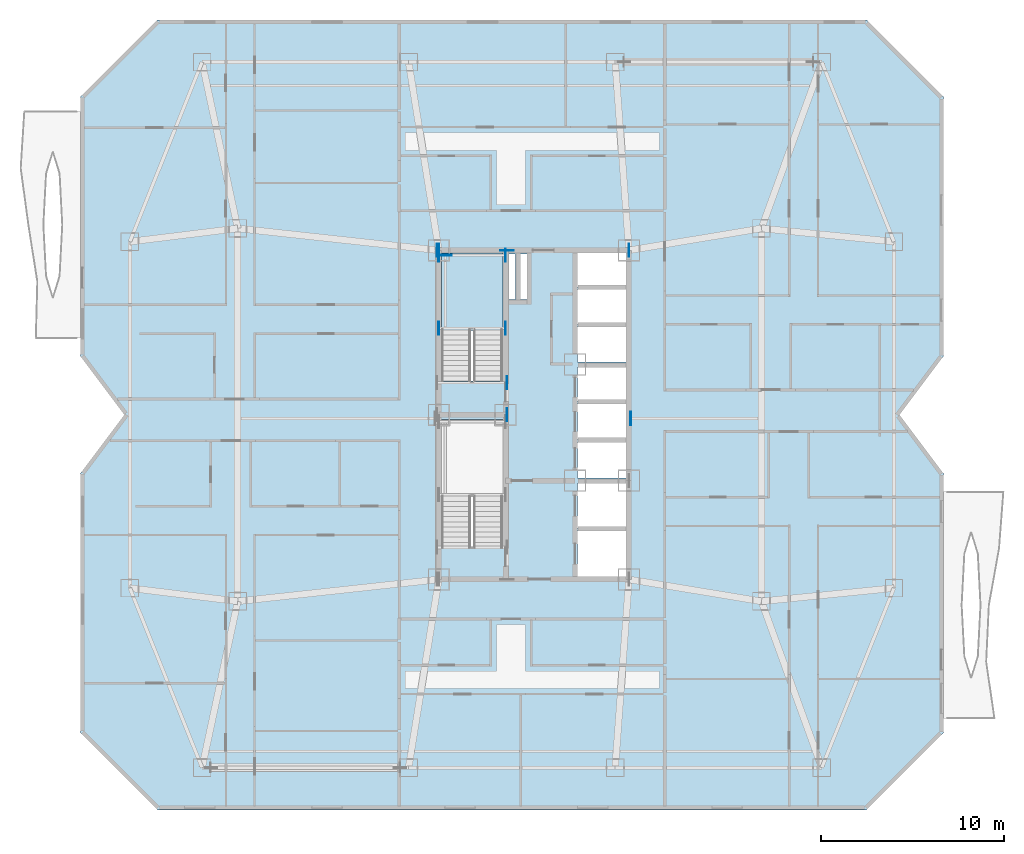
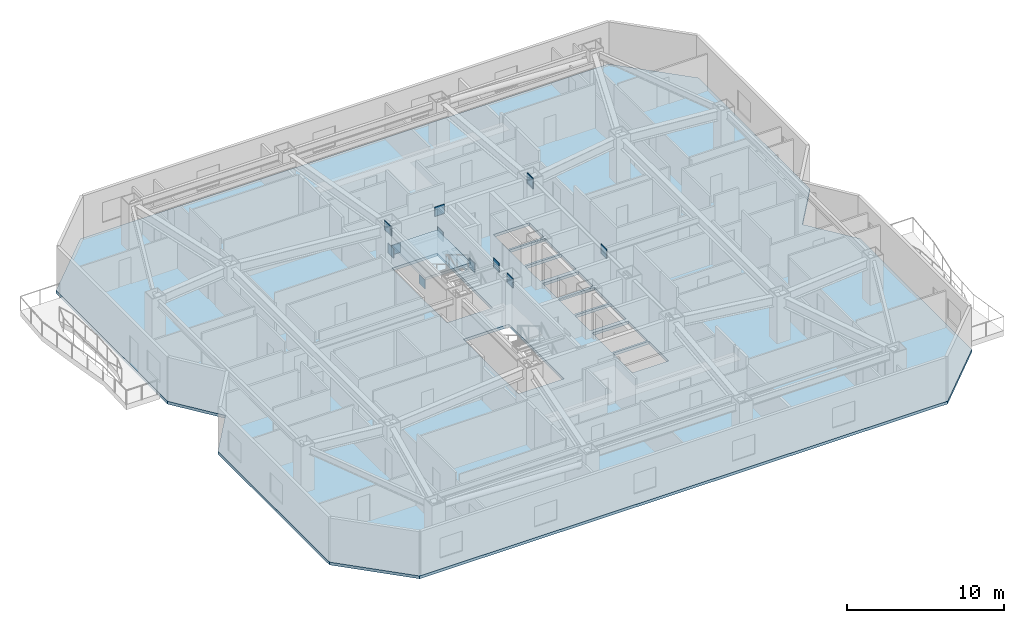
# One storey, part 3 of 15: 13 plates, 2 slabs, 1 element without a shape of its own.
"""IFC4 building model written with IfcOpenShell, lengths in metres."""

from ifc_helpers import new_model, si_unit, direction, frame, origin, origin_2d, place, context, subcontext, project, spatial, polyline, rectangle, outline, extrude, material, layer, layer_set, type_object, element, aggregate, save


model = new_model("IFC4")

# Units and contexts
model_context = context("Model", 3, precision=1e-05, world=origin(), true_north=direction((0.0, 1.0)))
body_context = subcontext(model_context, "Body", "Model", "MODEL_VIEW")
ifc_project = project(units=[si_unit("LENGTHUNIT", "METRE"), si_unit("AREAUNIT", "SQUARE_METRE"), si_unit("VOLUMEUNIT", "CUBIC_METRE"), si_unit("PLANEANGLEUNIT", "RADIAN"), si_unit("MASSUNIT", "GRAM", prefix="KILO")], contexts=[model_context])

# Site, building, storey
site_placement = place(None, origin())
site = spatial("IfcSite", under=ifc_project, at=site_placement, CompositionType="ELEMENT")
building_placement = place(site_placement, origin())
building = spatial("IfcBuilding", under=site, at=building_placement, Name="Khamvora Tower", CompositionType="ELEMENT")
storey_placement = place(building_placement, frame((0.0, 0.0, 101.89990234375)))
storey = spatial("IfcBuildingStorey", under=building, at=storey_placement, Name="L25", CompositionType="ELEMENT", Elevation=101.89990234375)

# Plates
ifc_material_1 = material(Name="Steel S460", Category="steel")
ifc_layer_1 = layer(ifc_material_1, 0.034912109375)
ifc_layer_set_1 = layer_set([ifc_layer_1], Name="Steel S460")
plate_type = type_object("IfcPlateType", Name="PL-EMB-35", PredefinedType="SHEET", material=ifc_layer_set_1)
for number, where, z_axis, x_axis, name in (
    (1, (29.0, 32.735107421875, 1.13427734375), (0.0, 0.0, 1.0), (1.0, 0.0, 0.0), "L25 core shear wall cast-in embed plate 0744"),
    (2, (32.64990234375, 32.735107421875, 1.13427734375), (0.0, 0.0, 1.0), (1.0, 0.0, 0.0), "L25 core shear wall cast-in embed plate 0745"),
    (3, (29.0, 36.72998046875, 1.13427734375), (0.0, 0.0, 1.0), (1.0, 0.0, 0.0), "L25 core shear wall cast-in embed plate 0746"),
    (4, (32.64990234375, 36.72998046875, 1.13427734375), (0.0, 0.0, 1.0), (1.0, 0.0, 0.0), "L25 core shear wall cast-in embed plate 0747"),
):
    element("IfcPlate", number, at=place(storey_placement, frame(where, z_axis=z_axis, x_axis=x_axis)), inside=storey, type_object=plate_type, Name=name, PredefinedType="SHEET", context=body_context, shape_type="SweptSolid", body=[
        extrude(rectangle(XDim=0.034912109375, YDim=0.719970703125, at=origin_2d()), origin(), (0.0, 0.0, 1.0), 0.719970703125),
    ])
plate_1_placement = place(storey_placement, frame((29.35009765625, 36.72998046875, 1.13427734375), z_axis=(0.0, 0.0, 1.0), x_axis=(1.0, 0.0, 0.0)))
element("IfcPlate", 5, at=plate_1_placement, inside=storey, type_object=plate_type, Name="L25 core shear wall cast-in embed plate 0748", PredefinedType="SHEET", context=body_context, shape_type="SweptSolid", body=[
    extrude(rectangle(XDim=0.719970703125, YDim=0.034912109375, at=origin_2d()), origin(), (0.0, 0.0, 1.0), 0.719970703125),
])
for number, where, z_axis, x_axis, name in (
    (6, (29.0, 37.0, 2.68408203125), (0.0, 0.0, 1.0), (1.0, 0.0, 0.0), "L25 core shear wall cast-in embed plate 0751"),
    (7, (39.39990234375, 37.0, 2.68408203125), (0.0, 0.0, 1.0), (1.0, 0.0, 0.0), "L25 core shear wall cast-in embed plate 0752"),
    (8, (28.89990234375, 37.0, 2.80419921875), (0.0, 0.0, 1.0), (1.0, 0.0, 0.0), "L25 core shear wall cast-in embed plate 0755"),
    (9, (32.72998046875, 28.0, 2.80419921875), (0.0, 0.0, 1.0), (1.0, 0.0, 0.0), "L25 core shear wall cast-in embed plate 0757"),
):
    element("IfcPlate", number, at=place(storey_placement, frame(where, z_axis=z_axis, x_axis=x_axis)), inside=storey, type_object=plate_type, Name=name, PredefinedType="SHEET", context=body_context, shape_type="SweptSolid", body=[
        extrude(rectangle(XDim=0.034912109375, YDim=0.719970703125, at=origin_2d()), origin(), (0.0, 0.0, 1.0), 0.719970703125),
    ])
plate_2_placement = place(storey_placement, frame((32.72998046875, 37.0, 2.80419921875), z_axis=(0.0, 0.0, 1.0), x_axis=(1.0, 0.0, 0.0)))
element("IfcPlate", 10, at=plate_2_placement, inside=storey, type_object=plate_type, Name="L25 core shear wall cast-in embed plate 0758", PredefinedType="SHEET", context=body_context, shape_type="SweptSolid", body=[
    extrude(rectangle(XDim=0.719970703125, YDim=0.034912109375, at=origin_2d()), origin(), (0.0, 0.0, 1.0), 0.719970703125),
])
for number, where, z_axis, x_axis, name in (
    (11, (39.39990234375, 37.0, 2.80419921875), (0.0, 0.0, 1.0), (1.0, 0.0, 0.0), "L25 core shear wall cast-in embed plate 0761"),
    (12, (32.72998046875, 29.75, 2.9443359375), (0.0, 0.0, 1.0), (1.0, 0.0, 0.0), "L25 core shear wall cast-in embed plate 0765"),
    (13, (39.4990234375, 27.800048828125, 2.84033203125), (0.0, 0.0, 1.0), (1.0, 0.0, 0.0), "L25 core shear wall cast-in embed plate 0767"),
):
    element("IfcPlate", number, at=place(storey_placement, frame(where, z_axis=z_axis, x_axis=x_axis)), inside=storey, type_object=plate_type, Name=name, PredefinedType="SHEET", context=body_context, shape_type="SweptSolid", body=[
        extrude(rectangle(XDim=0.034912109375, YDim=0.719970703125, at=origin_2d()), origin(), (0.0, 0.0, 1.0), 0.719970703125),
    ])

# Stair, slab
ifc_material_2 = material(Name="Concrete C40/50", Category="concrete")
stair_type = type_object("IfcStairType", Name="STR-ST-02", PredefinedType="HALF_TURN_STAIR", material=ifc_material_2)
stair_placement = place(storey_placement, origin())
stair = element("IfcStair", 14, at=stair_placement, inside=storey, type_object=stair_type, Name="L25 North Tower Exit Stair ST-02", PredefinedType="HALF_TURN_STAIR")
ifc_layer_2 = layer(ifc_material_2, 0.199951171875)
ifc_layer_set_2 = layer_set([ifc_layer_2], Name="Concrete C40/50")
slab_type_1 = type_object("IfcSlabType", Name="SLB-LND-200", PredefinedType="LANDING", material=ifc_layer_set_2)
slab_1_placement = place(storey_placement, frame((0.0, 0.0, 1.625)))
slab_1 = element("IfcSlab", 15, at=slab_1_placement, type_object=slab_type_1, Name="ST-02 landing 1", PredefinedType="LANDING", context=body_context, shape_type="SweptSolid", body=[
    extrude(outline(polyline([(32.5, 32.614990234375), (32.5, 36.85009765625), (29.14990234375, 36.85009765625), (29.14990234375, 32.614990234375), (32.5, 32.614990234375)])), origin(), (0.0, 0.0, 1.0), 0.2001953125),
])
aggregate(stair, [slab_1])

# Slab
ifc_material_3 = material(Name="Concrete C35/45", Category="concrete")
ifc_layer_3 = layer(ifc_material_3, 0.219970703125)
ifc_layer_set_3 = layer_set([ifc_layer_3], Name="Concrete C35/45")
slab_type_2 = type_object("IfcSlabType", Name="SLB-TYP-220", PredefinedType="FLOOR", material=ifc_layer_set_3)
slab_2_placement = place(storey_placement, frame((0.0, 0.0, -0.219970703125)))
element("IfcSlab", 16, at=slab_2_placement, inside=storey, type_object=slab_type_2, Name="L25 structural floor slab", PredefinedType="FLOOR", context=body_context, shape_type="SweptSolid", body=[
    extrude(outline(polyline([(13.60009765625, 6.39990234375), (52.39990234375, 6.39990234375), (56.60009765625, 10.60009765625), (56.60009765625, 24.800048828125), (54.199951171875, 28.0), (56.60009765625, 31.199951171875), (56.60009765625, 45.39990234375), (52.39990234375, 49.60009765625), (13.60009765625, 49.60009765625), (9.39990234375, 45.39990234375), (9.39990234375, 31.199951171875), (11.800048828125, 28.0), (9.39990234375, 24.800048828125), (9.39990234375, 10.60009765625), (13.60009765625, 6.39990234375)]), holes=[polyline([(32.5, 20.760009765625), (32.5, 27.75), (29.14990234375, 27.75), (29.14990234375, 20.760009765625), (32.5, 20.760009765625)]), polyline([(32.5, 29.860107421875), (32.5, 36.85009765625), (29.14990234375, 36.85009765625), (29.14990234375, 29.860107421875), (32.5, 29.860107421875)]), polyline([(36.60009765625, 19.14990234375), (39.25, 19.14990234375), (39.25, 21.64990234375), (36.60009765625, 21.64990234375), (36.60009765625, 19.14990234375)]), polyline([(36.60009765625, 21.800048828125), (39.25, 21.800048828125), (39.25, 24.25), (36.60009765625, 24.25), (36.60009765625, 21.800048828125)]), polyline([(36.60009765625, 24.550048828125), (39.25, 24.550048828125), (39.25, 26.5), (36.60009765625, 26.5), (36.60009765625, 24.550048828125)]), polyline([(36.60009765625, 26.64990234375), (39.25, 26.64990234375), (39.25, 28.60009765625), (36.60009765625, 28.60009765625), (36.60009765625, 26.64990234375)]), polyline([(36.60009765625, 28.75), (39.25, 28.75), (39.25, 30.60009765625), (36.60009765625, 30.60009765625), (36.60009765625, 28.75)]), polyline([(36.60009765625, 30.89990234375), (39.25, 30.89990234375), (39.25, 32.800048828125), (36.60009765625, 32.800048828125), (36.60009765625, 30.89990234375)]), polyline([(36.60009765625, 32.949951171875), (39.25, 32.949951171875), (39.25, 34.85009765625), (36.60009765625, 34.85009765625), (36.60009765625, 32.949951171875)]), polyline([(36.60009765625, 35.0), (39.25, 35.0), (39.25, 36.85009765625), (36.60009765625, 36.85009765625), (36.60009765625, 35.0)]), polyline([(32.800048828125, 34.300048828125), (33.199951171875, 34.300048828125), (33.199951171875, 36.800048828125), (32.800048828125, 36.800048828125), (32.800048828125, 34.300048828125)]), polyline([(33.47998046875, 34.300048828125), (33.820068359375, 34.300048828125), (33.820068359375, 36.800048828125), (33.47998046875, 36.800048828125), (33.47998046875, 34.300048828125)])]), origin(), (0.0, 0.0, 1.0), 0.219970703125),
])

save(model, "model.ifc")
